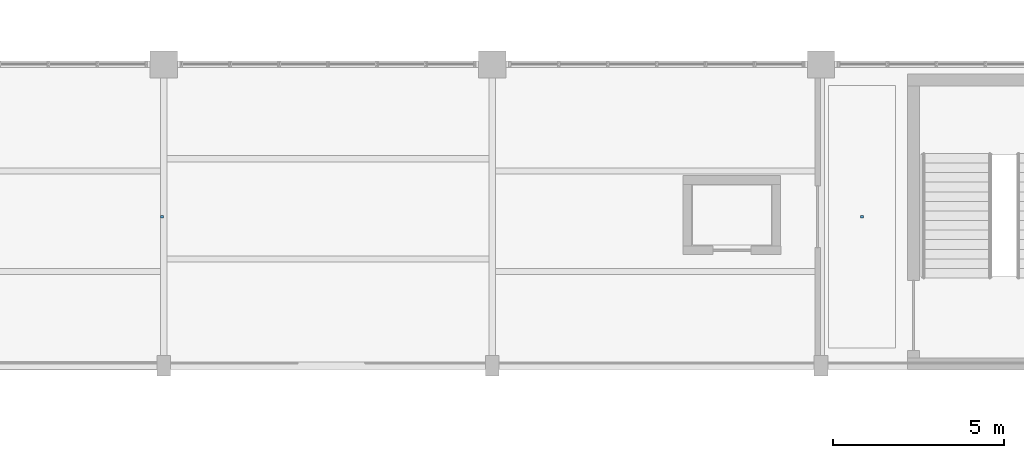
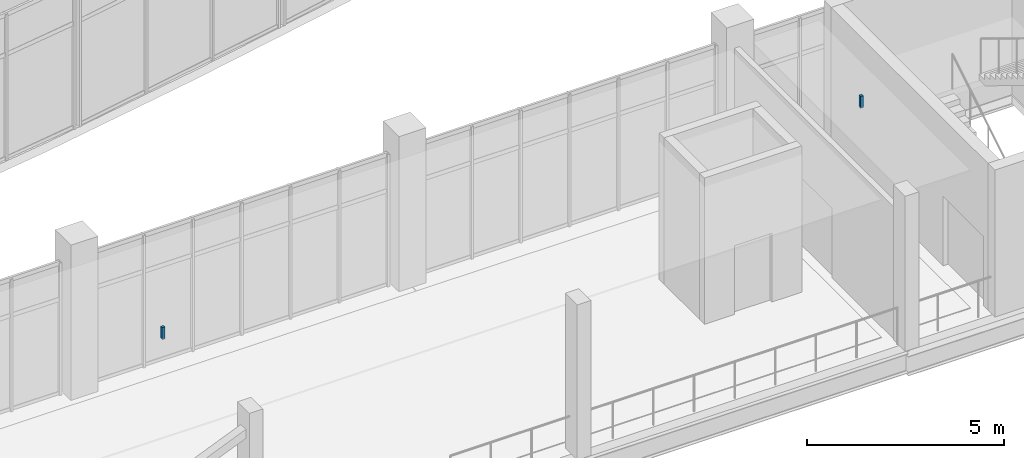
# One storey, part 145 of 157: 2 discrete accessories.
"""IFC4 building model written with IfcOpenShell, lengths in metres."""

from ifc_helpers import new_model, si_unit, direction, frame, origin, origin_2d, place, context, subcontext, project, spatial, rectangle, extrude, material, type_object, element, save


model = new_model("IFC4")

# Units and contexts
model_context = context("Model", 3, precision=1e-05, world=origin(), true_north=direction((0.0, 1.0)))
body_context = subcontext(model_context, "Body", "Model", "MODEL_VIEW")
ifc_project = project(units=[si_unit("LENGTHUNIT", "METRE"), si_unit("AREAUNIT", "SQUARE_METRE"), si_unit("VOLUMEUNIT", "CUBIC_METRE"), si_unit("PLANEANGLEUNIT", "RADIAN"), si_unit("MASSUNIT", "GRAM", prefix="KILO")], contexts=[model_context])

# Site, building, storey
site_placement = place(None, origin())
site = spatial("IfcSite", under=ifc_project, at=site_placement, CompositionType="ELEMENT")
building_placement = place(site_placement, origin())
building = spatial("IfcBuilding", under=site, at=building_placement, Name="Chalmorin Arch Market", CompositionType="ELEMENT")
storey_placement = place(building_placement, frame((0.0, 0.0, 4.800048828125)))
storey = spatial("IfcBuildingStorey", under=building, at=storey_placement, Name="L01", CompositionType="ELEMENT", Elevation=4.800048828125)

# Discrete accessories
ifc_material = material(Name="Galvanized Cold-Formed Steel", Category="steel")
discrete_accessory_type = type_object("IfcDiscreteAccessoryType", Name="CeilingSuspensionBracket-80x80", PredefinedType="BRACKET", material=ifc_material)
for number, where, z_axis, x_axis, name in (
    (1, (95.949951171875, 54.35009765625, 4.2529296875), (0.0, 0.0, 1.0), (1.0, 0.0, 0.0), "CSB-149"),
    (2, (116.39990234375, 54.35009765625, 4.2529296875), (0.0, 0.0, 1.0), (1.0, 0.0, 0.0), "CSB-151"),
):
    element("IfcDiscreteAccessory", number, at=place(storey_placement, frame(where, z_axis=z_axis, x_axis=x_axis)), inside=storey, type_object=discrete_accessory_type, Name=name, PredefinedType="BRACKET", context=body_context, shape_type="SweptSolid", body=[
        extrude(rectangle(XDim=0.080078125, YDim=0.080078125, at=origin_2d()), origin(), (0.0, 0.0, 1.0), 0.366943359375),
    ])

save(model, "model.ifc")
